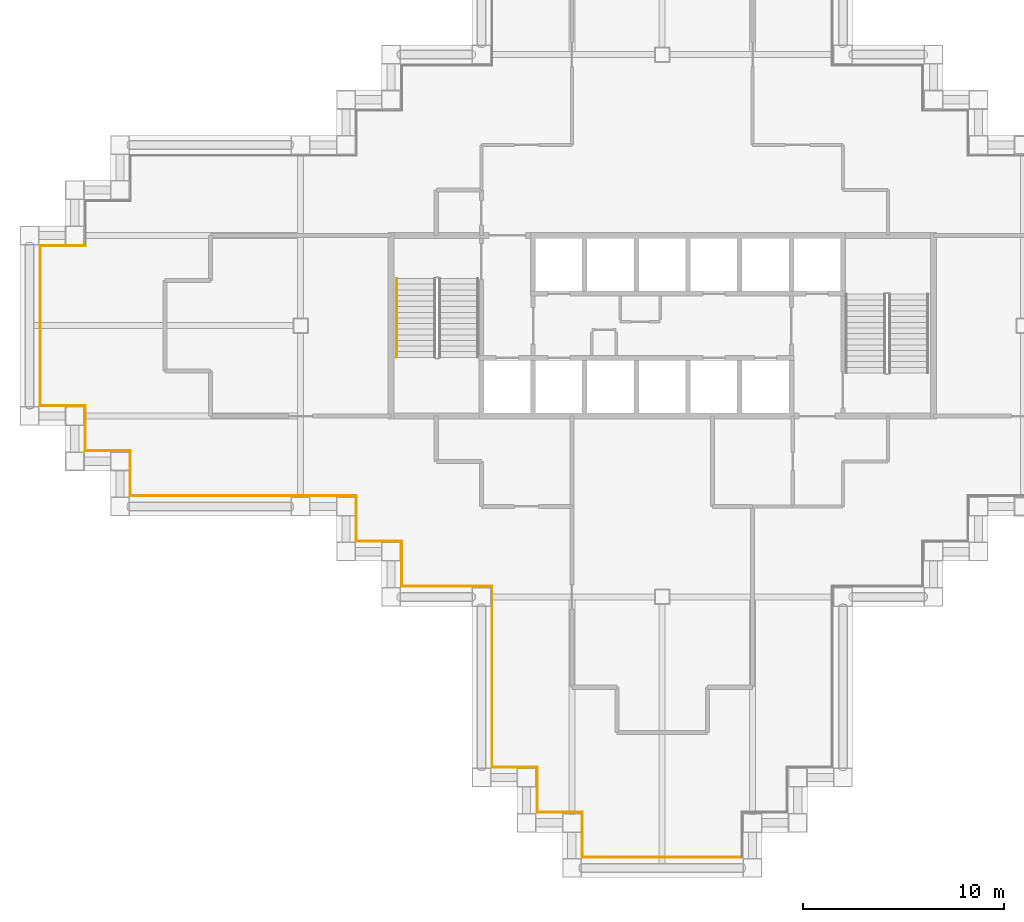
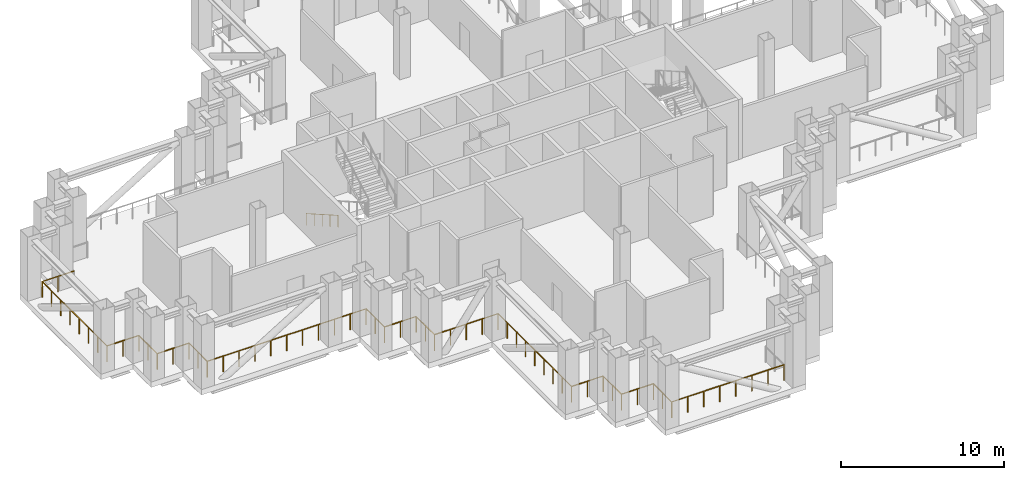
# One storey, part 7 of 10: 18 railings.
"""IFC4 building model written with IfcOpenShell, lengths in metres."""

from ifc_helpers import new_model, si_unit, direction, frame, origin, origin_2d, place, context, subcontext, project, spatial, circle, extrude, material, type_object, element, save


model = new_model("IFC4")

# Units and contexts
model_context = context("Model", 3, precision=1e-05, world=origin(), true_north=direction((0.0, 1.0)))
body_context = subcontext(model_context, "Body", "Model", "MODEL_VIEW")
ifc_project = project(units=[si_unit("LENGTHUNIT", "METRE"), si_unit("AREAUNIT", "SQUARE_METRE"), si_unit("VOLUMEUNIT", "CUBIC_METRE"), si_unit("PLANEANGLEUNIT", "RADIAN"), si_unit("MASSUNIT", "GRAM", prefix="KILO")], contexts=[model_context])

# Site, building, storey
site_placement = place(None, origin())
site = spatial("IfcSite", under=ifc_project, at=site_placement, CompositionType="ELEMENT")
building_placement = place(site_placement, origin())
building = spatial("IfcBuilding", under=site, at=building_placement, Name="Caravel Reach Hotel and Residences", CompositionType="ELEMENT")
storey_placement = place(building_placement, frame((0.0, 0.0, 96.0)))
storey = spatial("IfcBuildingStorey", under=building, at=storey_placement, Name="L23", CompositionType="ELEMENT", Elevation=96.0)

# Railings
ifc_material_1 = material(Name="Stainless steel S30408", Category="steel")
railing_type_1 = type_object("IfcRailingType", Name="G1 Guard 1200 stainless", PredefinedType="GUARDRAIL", material=ifc_material_1)
railing_1_placement = place(storey_placement, frame((23.02490234375, 5.02490234375, 0.0)))
element("IfcRailing", 1, at=railing_1_placement, inside=storey, type_object=railing_type_1, Name="Guard L23 1 run 1", PredefinedType="GUARDRAIL", context=body_context, shape_type="SweptSolid", body=[
    extrude(circle(Radius=0.02392578125, at=origin_2d()), frame((0.0, 0.0, 1.17578125), z_axis=(1.0, 0.0, 0.0), x_axis=(0.0, 1.0, 0.0)), (0.0, 0.0, 1.0), 2.25),
    extrude(circle(Radius=0.02099609375, at=origin_2d()), origin(), (0.0, 0.0, 1.0), 1.15185546875),
    extrude(circle(Radius=0.02099609375, at=origin_2d()), frame((1.125, 0.0, 0.0)), (0.0, 0.0, 1.0), 1.15185546875),
    extrude(circle(Radius=0.02099609375, at=origin_2d()), frame((2.25, 0.0, 0.0)), (0.0, 0.0, 1.0), 1.15185546875),
])
railing_2_placement = place(storey_placement, frame((25.27490234375, 5.02490234375, 0.0)))
element("IfcRailing", 2, at=railing_2_placement, inside=storey, type_object=railing_type_1, Name="Guard L23 1 run 2", PredefinedType="GUARDRAIL", context=body_context, shape_type="SweptSolid", body=[
    extrude(circle(Radius=0.02392578125, at=origin_2d()), frame((0.0, 0.0, 1.17578125), z_axis=(0.0, -1.0, 0.0), x_axis=(1.0, 0.0, 0.0)), (0.0, 0.0, 1.0), 2.25),
    extrude(circle(Radius=0.02099609375, at=origin_2d()), frame((0.0, -1.125, 0.0)), (0.0, 0.0, 1.0), 1.15185546875),
    extrude(circle(Radius=0.02099609375, at=origin_2d()), frame((0.0, -2.25, 0.0)), (0.0, 0.0, 1.0), 1.15185546875),
])
railing_3_placement = place(storey_placement, frame((25.27490234375, 2.77490234375, 0.0)))
element("IfcRailing", 3, at=railing_3_placement, inside=storey, type_object=railing_type_1, Name="Guard L23 1 run 3", PredefinedType="GUARDRAIL", context=body_context, shape_type="SweptSolid", body=[
    extrude(circle(Radius=0.02392578125, at=origin_2d()), frame((0.0, 0.0, 1.17578125), z_axis=(1.0, 0.0, 0.0), x_axis=(0.0, 1.0, 0.0)), (0.0, 0.0, 1.0), 2.25),
    extrude(circle(Radius=0.02099609375, at=origin_2d()), frame((1.125, 0.0, 0.0)), (0.0, 0.0, 1.0), 1.15185546875),
    extrude(circle(Radius=0.02099609375, at=origin_2d()), frame((2.25, 0.0, 0.0)), (0.0, 0.0, 1.0), 1.15185546875),
])
railing_4_placement = place(storey_placement, frame((27.52490234375, 2.77490234375, 0.0)))
element("IfcRailing", 4, at=railing_4_placement, inside=storey, type_object=railing_type_1, Name="Guard L23 1 run 4", PredefinedType="GUARDRAIL", context=body_context, shape_type="SweptSolid", body=[
    extrude(circle(Radius=0.02392578125, at=origin_2d()), frame((0.0, 0.0, 1.17578125), z_axis=(0.0, -1.0, 0.0), x_axis=(1.0, 0.0, 0.0)), (0.0, 0.0, 1.0), 2.25),
    extrude(circle(Radius=0.02099609375, at=origin_2d()), frame((0.0, -1.125, 0.0)), (0.0, 0.0, 1.0), 1.15185546875),
    extrude(circle(Radius=0.02099609375, at=origin_2d()), frame((0.0, -2.25, 0.0)), (0.0, 0.0, 1.0), 1.15185546875),
])
railing_5_placement = place(storey_placement, frame((27.52490234375, 0.52490234375, 0.0)))
element("IfcRailing", 5, at=railing_5_placement, inside=storey, type_object=railing_type_1, Name="Guard L23 1 run 5", PredefinedType="GUARDRAIL", context=body_context, shape_type="SweptSolid", body=[
    extrude(circle(Radius=0.02392578125, at=origin_2d()), frame((0.0, 0.0, 1.17578125), z_axis=(1.0, 0.0, 0.0), x_axis=(0.0, 1.0, 0.0)), (0.0, 0.0, 1.0), 7.9501953125),
    extrude(circle(Radius=0.02099609375, at=origin_2d()), frame((1.1357421875, 0.0, 0.0)), (0.0, 0.0, 1.0), 1.15185546875),
    extrude(circle(Radius=0.02099609375, at=origin_2d()), frame((2.271484375, 0.0, 0.0)), (0.0, 0.0, 1.0), 1.15185546875),
    extrude(circle(Radius=0.02099609375, at=origin_2d()), frame((3.4072265625, 0.0, 0.0)), (0.0, 0.0, 1.0), 1.15185546875),
    extrude(circle(Radius=0.02099609375, at=origin_2d()), frame((4.54296875, 0.0, 0.0)), (0.0, 0.0, 1.0), 1.15185546875),
    extrude(circle(Radius=0.02099609375, at=origin_2d()), frame((5.6787109375, 0.0, 0.0)), (0.0, 0.0, 1.0), 1.15185546875),
    extrude(circle(Radius=0.02099609375, at=origin_2d()), frame((6.814453125, 0.0, 0.0)), (0.0, 0.0, 1.0), 1.15185546875),
    extrude(circle(Radius=0.02099609375, at=origin_2d()), frame((7.9501953125, 0.0, 0.0)), (0.0, 0.0, 1.0), 1.15185546875),
])
railing_6_placement = place(storey_placement, frame((2.77490234375, 30.97509765625, 0.0)))
element("IfcRailing", 6, at=railing_6_placement, inside=storey, type_object=railing_type_1, Name="Guard L23 1 run 49", PredefinedType="GUARDRAIL", context=body_context, shape_type="SweptSolid", body=[
    extrude(circle(Radius=0.02392578125, at=origin_2d()), frame((0.0, 0.0, 1.17578125), z_axis=(-1.0, 0.0, 0.0), x_axis=(0.0, -1.0, 0.0)), (0.0, 0.0, 1.0), 2.25),
    extrude(circle(Radius=0.02099609375, at=origin_2d()), frame((-1.125, 0.0, 0.0)), (0.0, 0.0, 1.0), 1.15185546875),
    extrude(circle(Radius=0.02099609375, at=origin_2d()), frame((-2.25, 0.0, 0.0)), (0.0, 0.0, 1.0), 1.15185546875),
])
railing_7_placement = place(storey_placement, frame((0.52490234375, 30.97509765625, 0.0)))
element("IfcRailing", 7, at=railing_7_placement, inside=storey, type_object=railing_type_1, Name="Guard L23 1 run 50", PredefinedType="GUARDRAIL", context=body_context, shape_type="SweptSolid", body=[
    extrude(circle(Radius=0.02392578125, at=origin_2d()), frame((0.0, 0.0, 1.17578125), z_axis=(0.0, -1.0, 0.0), x_axis=(1.0, 0.0, 0.0)), (0.0, 0.0, 1.0), 7.9501953125),
    extrude(circle(Radius=0.02099609375, at=origin_2d()), frame((0.0, -1.1357421875, 0.0)), (0.0, 0.0, 1.0), 1.15185546875),
    extrude(circle(Radius=0.02099609375, at=origin_2d()), frame((0.0, -2.271484375, 0.0)), (0.0, 0.0, 1.0), 1.15185546875),
    extrude(circle(Radius=0.02099609375, at=origin_2d()), frame((0.0, -3.4072265625, 0.0)), (0.0, 0.0, 1.0), 1.15185546875),
    extrude(circle(Radius=0.02099609375, at=origin_2d()), frame((0.0, -4.54296875, 0.0)), (0.0, 0.0, 1.0), 1.15185546875),
    extrude(circle(Radius=0.02099609375, at=origin_2d()), frame((0.0, -5.6787109375, 0.0)), (0.0, 0.0, 1.0), 1.15185546875),
    extrude(circle(Radius=0.02099609375, at=origin_2d()), frame((0.0, -6.814453125, 0.0)), (0.0, 0.0, 1.0), 1.15185546875),
    extrude(circle(Radius=0.02099609375, at=origin_2d()), frame((0.0, -7.9501953125, 0.0)), (0.0, 0.0, 1.0), 1.15185546875),
])
railing_8_placement = place(storey_placement, frame((0.52490234375, 23.02490234375, 0.0)))
element("IfcRailing", 8, at=railing_8_placement, inside=storey, type_object=railing_type_1, Name="Guard L23 1 run 51", PredefinedType="GUARDRAIL", context=body_context, shape_type="SweptSolid", body=[
    extrude(circle(Radius=0.02392578125, at=origin_2d()), frame((0.0, 0.0, 1.17578125), z_axis=(1.0, 0.0, 0.0), x_axis=(0.0, 1.0, 0.0)), (0.0, 0.0, 1.0), 2.25),
    extrude(circle(Radius=0.02099609375, at=origin_2d()), frame((1.125, 0.0, 0.0)), (0.0, 0.0, 1.0), 1.15185546875),
    extrude(circle(Radius=0.02099609375, at=origin_2d()), frame((2.25, 0.0, 0.0)), (0.0, 0.0, 1.0), 1.15185546875),
])
railing_9_placement = place(storey_placement, frame((2.77490234375, 23.02490234375, 0.0)))
element("IfcRailing", 9, at=railing_9_placement, inside=storey, type_object=railing_type_1, Name="Guard L23 1 run 52", PredefinedType="GUARDRAIL", context=body_context, shape_type="SweptSolid", body=[
    extrude(circle(Radius=0.02392578125, at=origin_2d()), frame((0.0, 0.0, 1.17578125), z_axis=(0.0, -1.0, 0.0), x_axis=(1.0, 0.0, 0.0)), (0.0, 0.0, 1.0), 2.25),
    extrude(circle(Radius=0.02099609375, at=origin_2d()), frame((0.0, -1.125, 0.0)), (0.0, 0.0, 1.0), 1.15185546875),
    extrude(circle(Radius=0.02099609375, at=origin_2d()), frame((0.0, -2.25, 0.0)), (0.0, 0.0, 1.0), 1.15185546875),
])
railing_10_placement = place(storey_placement, frame((2.77490234375, 20.77490234375, 0.0)))
element("IfcRailing", 10, at=railing_10_placement, inside=storey, type_object=railing_type_1, Name="Guard L23 1 run 53", PredefinedType="GUARDRAIL", context=body_context, shape_type="SweptSolid", body=[
    extrude(circle(Radius=0.02392578125, at=origin_2d()), frame((0.0, 0.0, 1.17578125), z_axis=(1.0, 0.0, 0.0), x_axis=(0.0, 1.0, 0.0)), (0.0, 0.0, 1.0), 2.25),
    extrude(circle(Radius=0.02099609375, at=origin_2d()), frame((1.125, 0.0, 0.0)), (0.0, 0.0, 1.0), 1.15185546875),
    extrude(circle(Radius=0.02099609375, at=origin_2d()), frame((2.25, 0.0, 0.0)), (0.0, 0.0, 1.0), 1.15185546875),
])
railing_11_placement = place(storey_placement, frame((5.02490234375, 20.77490234375, 0.0)))
element("IfcRailing", 11, at=railing_11_placement, inside=storey, type_object=railing_type_1, Name="Guard L23 1 run 54", PredefinedType="GUARDRAIL", context=body_context, shape_type="SweptSolid", body=[
    extrude(circle(Radius=0.02392578125, at=origin_2d()), frame((0.0, 0.0, 1.17578125), z_axis=(0.0, -1.0, 0.0), x_axis=(1.0, 0.0, 0.0)), (0.0, 0.0, 1.0), 2.25),
    extrude(circle(Radius=0.02099609375, at=origin_2d()), frame((0.0, -1.125, 0.0)), (0.0, 0.0, 1.0), 1.15185546875),
    extrude(circle(Radius=0.02099609375, at=origin_2d()), frame((0.0, -2.25, 0.0)), (0.0, 0.0, 1.0), 1.15185546875),
])
railing_12_placement = place(storey_placement, frame((5.02490234375, 18.52490234375, 0.0)))
element("IfcRailing", 12, at=railing_12_placement, inside=storey, type_object=railing_type_1, Name="Guard L23 1 run 55", PredefinedType="GUARDRAIL", context=body_context, shape_type="SweptSolid", body=[
    extrude(circle(Radius=0.02392578125, at=origin_2d()), frame((0.0, 0.0, 1.17578125), z_axis=(1.0, 0.0, 0.0), x_axis=(0.0, 1.0, 0.0)), (0.0, 0.0, 1.0), 11.25),
    extrude(circle(Radius=0.02099609375, at=origin_2d()), frame((1.125, 0.0, 0.0)), (0.0, 0.0, 1.0), 1.15185546875),
    extrude(circle(Radius=0.02099609375, at=origin_2d()), frame((2.25, 0.0, 0.0)), (0.0, 0.0, 1.0), 1.15185546875),
    extrude(circle(Radius=0.02099609375, at=origin_2d()), frame((3.375, 0.0, 0.0)), (0.0, 0.0, 1.0), 1.15185546875),
    extrude(circle(Radius=0.02099609375, at=origin_2d()), frame((4.5, 0.0, 0.0)), (0.0, 0.0, 1.0), 1.15185546875),
    extrude(circle(Radius=0.02099609375, at=origin_2d()), frame((5.625, 0.0, 0.0)), (0.0, 0.0, 1.0), 1.15185546875),
    extrude(circle(Radius=0.02099609375, at=origin_2d()), frame((6.75, 0.0, 0.0)), (0.0, 0.0, 1.0), 1.15185546875),
    extrude(circle(Radius=0.02099609375, at=origin_2d()), frame((7.875, 0.0, 0.0)), (0.0, 0.0, 1.0), 1.15185546875),
    extrude(circle(Radius=0.02099609375, at=origin_2d()), frame((9.0, 0.0, 0.0)), (0.0, 0.0, 1.0), 1.15185546875),
    extrude(circle(Radius=0.02099609375, at=origin_2d()), frame((10.125, 0.0, 0.0)), (0.0, 0.0, 1.0), 1.15185546875),
    extrude(circle(Radius=0.02099609375, at=origin_2d()), frame((11.25, 0.0, 0.0)), (0.0, 0.0, 1.0), 1.15185546875),
])
railing_13_placement = place(storey_placement, frame((16.27490234375, 18.52490234375, 0.0)))
element("IfcRailing", 13, at=railing_13_placement, inside=storey, type_object=railing_type_1, Name="Guard L23 1 run 56", PredefinedType="GUARDRAIL", context=body_context, shape_type="SweptSolid", body=[
    extrude(circle(Radius=0.02392578125, at=origin_2d()), frame((0.0, 0.0, 1.17578125), z_axis=(0.0, -1.0, 0.0), x_axis=(1.0, 0.0, 0.0)), (0.0, 0.0, 1.0), 2.25),
    extrude(circle(Radius=0.02099609375, at=origin_2d()), frame((0.0, -1.125, 0.0)), (0.0, 0.0, 1.0), 1.15185546875),
    extrude(circle(Radius=0.02099609375, at=origin_2d()), frame((0.0, -2.25, 0.0)), (0.0, 0.0, 1.0), 1.15185546875),
])
railing_14_placement = place(storey_placement, frame((16.27490234375, 16.27490234375, 0.0)))
element("IfcRailing", 14, at=railing_14_placement, inside=storey, type_object=railing_type_1, Name="Guard L23 1 run 57", PredefinedType="GUARDRAIL", context=body_context, shape_type="SweptSolid", body=[
    extrude(circle(Radius=0.02392578125, at=origin_2d()), frame((0.0, 0.0, 1.17578125), z_axis=(1.0, 0.0, 0.0), x_axis=(0.0, 1.0, 0.0)), (0.0, 0.0, 1.0), 2.25),
    extrude(circle(Radius=0.02099609375, at=origin_2d()), frame((1.125, 0.0, 0.0)), (0.0, 0.0, 1.0), 1.15185546875),
    extrude(circle(Radius=0.02099609375, at=origin_2d()), frame((2.25, 0.0, 0.0)), (0.0, 0.0, 1.0), 1.15185546875),
])
railing_15_placement = place(storey_placement, frame((18.52490234375, 16.27490234375, 0.0)))
element("IfcRailing", 15, at=railing_15_placement, inside=storey, type_object=railing_type_1, Name="Guard L23 1 run 58", PredefinedType="GUARDRAIL", context=body_context, shape_type="SweptSolid", body=[
    extrude(circle(Radius=0.02392578125, at=origin_2d()), frame((0.0, 0.0, 1.17578125), z_axis=(0.0, -1.0, 0.0), x_axis=(1.0, 0.0, 0.0)), (0.0, 0.0, 1.0), 2.25),
    extrude(circle(Radius=0.02099609375, at=origin_2d()), frame((0.0, -1.125, 0.0)), (0.0, 0.0, 1.0), 1.15185546875),
    extrude(circle(Radius=0.02099609375, at=origin_2d()), frame((0.0, -2.25, 0.0)), (0.0, 0.0, 1.0), 1.15185546875),
])
railing_16_placement = place(storey_placement, frame((18.52490234375, 14.02490234375, 0.0)))
element("IfcRailing", 16, at=railing_16_placement, inside=storey, type_object=railing_type_1, Name="Guard L23 1 run 59", PredefinedType="GUARDRAIL", context=body_context, shape_type="SweptSolid", body=[
    extrude(circle(Radius=0.02392578125, at=origin_2d()), frame((0.0, 0.0, 1.17578125), z_axis=(1.0, 0.0, 0.0), x_axis=(0.0, 1.0, 0.0)), (0.0, 0.0, 1.0), 4.5),
    extrude(circle(Radius=0.02099609375, at=origin_2d()), frame((1.125, 0.0, 0.0)), (0.0, 0.0, 1.0), 1.15185546875),
    extrude(circle(Radius=0.02099609375, at=origin_2d()), frame((2.25, 0.0, 0.0)), (0.0, 0.0, 1.0), 1.15185546875),
    extrude(circle(Radius=0.02099609375, at=origin_2d()), frame((3.375, 0.0, 0.0)), (0.0, 0.0, 1.0), 1.15185546875),
    extrude(circle(Radius=0.02099609375, at=origin_2d()), frame((4.5, 0.0, 0.0)), (0.0, 0.0, 1.0), 1.15185546875),
])
railing_17_placement = place(storey_placement, frame((23.02490234375, 14.02490234375, 0.0)))
element("IfcRailing", 17, at=railing_17_placement, inside=storey, type_object=railing_type_1, Name="Guard L23 1 run 60", PredefinedType="GUARDRAIL", context=body_context, shape_type="SweptSolid", body=[
    extrude(circle(Radius=0.02392578125, at=origin_2d()), frame((0.0, 0.0, 1.17578125), z_axis=(0.0, -1.0, 0.0), x_axis=(1.0, 0.0, 0.0)), (0.0, 0.0, 1.0), 9.0),
    extrude(circle(Radius=0.02099609375, at=origin_2d()), frame((0.0, -1.125, 0.0)), (0.0, 0.0, 1.0), 1.15185546875),
    extrude(circle(Radius=0.02099609375, at=origin_2d()), frame((0.0, -2.25, 0.0)), (0.0, 0.0, 1.0), 1.15185546875),
    extrude(circle(Radius=0.02099609375, at=origin_2d()), frame((0.0, -3.375, 0.0)), (0.0, 0.0, 1.0), 1.15185546875),
    extrude(circle(Radius=0.02099609375, at=origin_2d()), frame((0.0, -4.5, 0.0)), (0.0, 0.0, 1.0), 1.15185546875),
    extrude(circle(Radius=0.02099609375, at=origin_2d()), frame((0.0, -5.625, 0.0)), (0.0, 0.0, 1.0), 1.15185546875),
    extrude(circle(Radius=0.02099609375, at=origin_2d()), frame((0.0, -6.75, 0.0)), (0.0, 0.0, 1.0), 1.15185546875),
    extrude(circle(Radius=0.02099609375, at=origin_2d()), frame((0.0, -7.875, 0.0)), (0.0, 0.0, 1.0), 1.15185546875),
])
ifc_material_2 = material(Name="Stainless steel handrail", Category="steel")
railing_type_2 = type_object("IfcRailingType", Name="Handrail 900", PredefinedType="HANDRAIL", material=ifc_material_2)
railing_18_placement = place(storey_placement, frame((18.27490234375, 29.35009765625, 0.159912109375)))
element("IfcRailing", 18, at=railing_18_placement, inside=storey, type_object=railing_type_2, Name="L23 ST-A stair handrail 1", PredefinedType="HANDRAIL", context=body_context, shape_type="SweptSolid", body=[
    extrude(circle(Radius=0.02392578125, at=origin_2d()), frame((0.0, 0.0, 0.8759765625), z_axis=(0.0, -0.86825312469, 0.496121468458), x_axis=(1.0, 0.0, 0.0)), (0.0, 0.0, 1.0), 4.514892578125),
    extrude(circle(Radius=0.02099609375, at=origin_2d()), origin(), (0.0, 0.0, 1.0), 0.851806640625),
    extrude(circle(Radius=0.02099609375, at=origin_2d()), frame((0.0, -0.97998046875, 0.56005859375)), (0.0, 0.0, 1.0), 0.851806640625),
    extrude(circle(Radius=0.02099609375, at=origin_2d()), frame((0.0, -1.9599609375, 1.1201171875)), (0.0, 0.0, 1.0), 0.851806640625),
    extrude(circle(Radius=0.02099609375, at=origin_2d()), frame((0.0, -2.940185546875, 1.679931640625)), (0.0, 0.0, 1.0), 0.851806640625),
    extrude(circle(Radius=0.02099609375, at=origin_2d()), frame((0.0, -3.920166015625, 2.239990234375)), (0.0, 0.0, 1.0), 0.851806640625),
])

save(model, "model.ifc")
